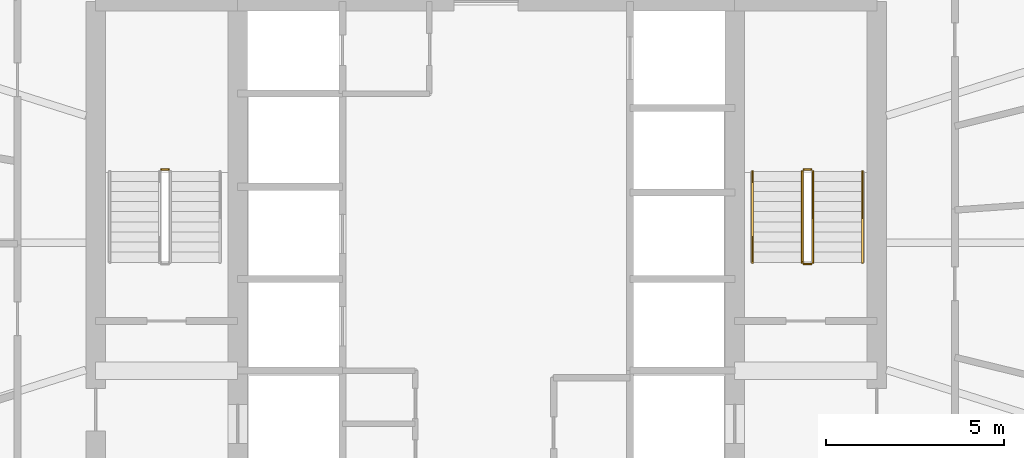
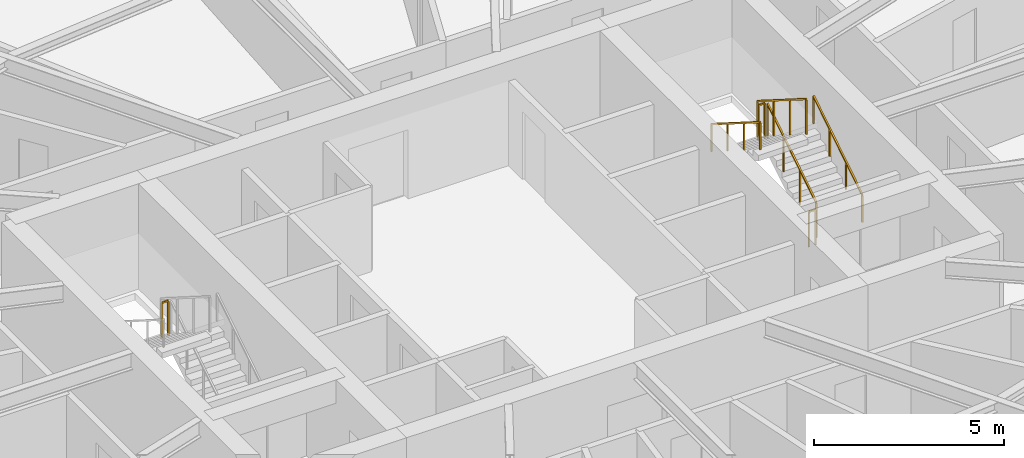
# One storey, part 25 of 25: 7 railings.
"""IFC4 building model written with IfcOpenShell, lengths in metres."""

from ifc_helpers import new_model, si_unit, direction, frame, origin, origin_2d, place, context, subcontext, project, spatial, rectangle, extrude, material, type_object, element, save


model = new_model("IFC4")

# Units and contexts
model_context = context("Model", 3, precision=1e-05, world=origin(), true_north=direction((0.0, 1.0)))
body_context = subcontext(model_context, "Body", "Model", "MODEL_VIEW")
ifc_project = project(units=[si_unit("LENGTHUNIT", "METRE"), si_unit("AREAUNIT", "SQUARE_METRE"), si_unit("VOLUMEUNIT", "CUBIC_METRE"), si_unit("PLANEANGLEUNIT", "RADIAN"), si_unit("MASSUNIT", "GRAM", prefix="KILO")], contexts=[model_context])

# Site, building, storey
site_placement = place(None, origin())
site = spatial("IfcSite", under=ifc_project, at=site_placement, CompositionType="ELEMENT")
building_placement = place(site_placement, origin())
building = spatial("IfcBuilding", under=site, at=building_placement, Name="Sarneth Arch Tower", CompositionType="ELEMENT")
storey_placement = place(building_placement, frame((0.0, 0.0, 84.0)))
storey = spatial("IfcBuildingStorey", under=building, at=storey_placement, Name="L20", CompositionType="ELEMENT", Elevation=84.0)

# Railings
ifc_material_1 = material(Name="Brushed Stainless Steel 304 tubular handrail", Category="steel")
railing_type_1 = type_object("IfcRailingType", Name="RAIL-HANDRAIL-900", PredefinedType="HANDRAIL", material=ifc_material_1)
railing_1_placement = place(storey_placement, frame((58.60009765625, 41.449951171875, 0.179931640625)))
element("IfcRailing", 1, at=railing_1_placement, inside=storey, type_object=railing_type_1, Name="L20 ST-2 stair handrail 1", PredefinedType="HANDRAIL", context=body_context, shape_type="SweptSolid", body=[
    extrude(rectangle(XDim=0.048095703125, YDim=0.048095703125, at=origin_2d()), frame((0.0, 0.0, 0.8759765625), z_axis=(0.0, 0.845465955043, 0.534029323973), x_axis=(-1.0, 0.0, 0.0)), (0.0, 0.0, 1.0), 3.03369140625),
    extrude(rectangle(XDim=0.0419921875, YDim=0.0419921875, at=origin_2d()), origin(), (0.0, 0.0, 1.0), 0.851806640625),
    extrude(rectangle(XDim=0.0419921875, YDim=0.0419921875, at=origin_2d()), frame((0.0, 0.85498046875, 0.5400390625)), (0.0, 0.0, 1.0), 0.851806640625),
    extrude(rectangle(XDim=0.0419921875, YDim=0.0419921875, at=origin_2d()), frame((0.0, 1.7099609375, 1.080078125)), (0.0, 0.0, 1.0), 0.851806640625),
    extrude(rectangle(XDim=0.0419921875, YDim=0.0419921875, at=origin_2d()), frame((0.0, 2.56494140625, 1.6201171875)), (0.0, 0.0, 1.0), 0.851806640625),
])
railing_2_placement = place(storey_placement, frame((55.5, 44.014892578125, 1.97998046875)))
element("IfcRailing", 2, at=railing_2_placement, inside=storey, type_object=railing_type_1, Name="L20 ST-2 stair handrail 2", PredefinedType="HANDRAIL", context=body_context, shape_type="SweptSolid", body=[
    extrude(rectangle(XDim=0.048095703125, YDim=0.048095703125, at=origin_2d()), frame((0.0, 0.0, 0.8759765625), z_axis=(0.0, -0.845465955043, 0.534029323973), x_axis=(1.0, 0.0, 0.0)), (0.0, 0.0, 1.0), 3.03369140625),
    extrude(rectangle(XDim=0.0419921875, YDim=0.0419921875, at=origin_2d()), origin(), (0.0, 0.0, 1.0), 0.851806640625),
    extrude(rectangle(XDim=0.0419921875, YDim=0.0419921875, at=origin_2d()), frame((0.0, -0.85498046875, 0.5400390625)), (0.0, 0.0, 1.0), 0.851806640625),
    extrude(rectangle(XDim=0.0419921875, YDim=0.0419921875, at=origin_2d()), frame((0.0, -1.7099609375, 1.080078125)), (0.0, 0.0, 1.0), 0.851806640625),
    extrude(rectangle(XDim=0.0419921875, YDim=0.0419921875, at=origin_2d()), frame((0.0, -2.56494140625, 1.6201171875)), (0.0, 0.0, 1.0), 0.851806640625),
])
ifc_material_2 = material(Name="Painted Steel S275 stair well guard", Category="steel")
railing_type_2 = type_object("IfcRailingType", Name="RAIL-STAIR-GUARD", PredefinedType="GUARDRAIL", material=ifc_material_2)
railing_3_placement = place(storey_placement, frame((39.050048828125, 44.06494140625, 1.800048828125)))
element("IfcRailing", 3, at=railing_3_placement, inside=storey, type_object=railing_type_2, Name="L20 ST-1 stair guard 2", PredefinedType="GUARDRAIL", context=body_context, shape_type="SweptSolid", body=[
    extrude(rectangle(XDim=0.048095703125, YDim=0.048095703125, at=origin_2d()), frame((0.0, 0.0, 1.1259765625), z_axis=(-1.0, 0.0, 0.0), x_axis=(0.0, -1.0, 0.0)), (0.0, 0.0, 1.0), 0.199951171875),
    extrude(rectangle(XDim=0.0419921875, YDim=0.0419921875, at=origin_2d()), origin(), (0.0, 0.0, 1.0), 1.101806640625),
    extrude(rectangle(XDim=0.0419921875, YDim=0.0419921875, at=origin_2d()), frame((-0.199951171875, 0.0, 0.0)), (0.0, 0.0, 1.0), 1.101806640625),
])
railing_4_placement = place(storey_placement, frame((57.199951171875, 41.449951171875, 0.179931640625)))
element("IfcRailing", 4, at=railing_4_placement, inside=storey, type_object=railing_type_2, Name="L20 ST-2 stair guard 1", PredefinedType="GUARDRAIL", context=body_context, shape_type="SweptSolid", body=[
    extrude(rectangle(XDim=0.048095703125, YDim=0.048095703125, at=origin_2d()), frame((0.0, 0.0, 1.1259765625), z_axis=(0.0, 0.845465955043, 0.534029323973), x_axis=(-1.0, 0.0, 0.0)), (0.0, 0.0, 1.0), 3.03369140625),
    extrude(rectangle(XDim=0.0419921875, YDim=0.0419921875, at=origin_2d()), origin(), (0.0, 0.0, 1.0), 1.101806640625),
    extrude(rectangle(XDim=0.0419921875, YDim=0.0419921875, at=origin_2d()), frame((0.0, 0.85498046875, 0.5400390625)), (0.0, 0.0, 1.0), 1.101806640625),
    extrude(rectangle(XDim=0.0419921875, YDim=0.0419921875, at=origin_2d()), frame((0.0, 1.7099609375, 1.080078125)), (0.0, 0.0, 1.0), 1.101806640625),
    extrude(rectangle(XDim=0.0419921875, YDim=0.0419921875, at=origin_2d()), frame((0.0, 2.56494140625, 1.6201171875)), (0.0, 0.0, 1.0), 1.101806640625),
])
railing_5_placement = place(storey_placement, frame((57.14990234375, 44.06494140625, 1.800048828125)))
element("IfcRailing", 5, at=railing_5_placement, inside=storey, type_object=railing_type_2, Name="L20 ST-2 stair guard 2", PredefinedType="GUARDRAIL", context=body_context, shape_type="SweptSolid", body=[
    extrude(rectangle(XDim=0.048095703125, YDim=0.048095703125, at=origin_2d()), frame((0.0, 0.0, 1.1259765625), z_axis=(-1.0, 0.0, 0.0), x_axis=(0.0, -1.0, 0.0)), (0.0, 0.0, 1.0), 0.199951171875),
    extrude(rectangle(XDim=0.0419921875, YDim=0.0419921875, at=origin_2d()), origin(), (0.0, 0.0, 1.0), 1.101806640625),
    extrude(rectangle(XDim=0.0419921875, YDim=0.0419921875, at=origin_2d()), frame((-0.199951171875, 0.0, 0.0)), (0.0, 0.0, 1.0), 1.101806640625),
])
railing_6_placement = place(storey_placement, frame((56.89990234375, 44.014892578125, 1.97998046875)))
element("IfcRailing", 6, at=railing_6_placement, inside=storey, type_object=railing_type_2, Name="L20 ST-2 stair guard 3", PredefinedType="GUARDRAIL", context=body_context, shape_type="SweptSolid", body=[
    extrude(rectangle(XDim=0.048095703125, YDim=0.048095703125, at=origin_2d()), frame((0.0, 0.0, 1.1259765625), z_axis=(0.0, -0.845465955043, 0.534029323973), x_axis=(1.0, 0.0, 0.0)), (0.0, 0.0, 1.0), 3.03369140625),
    extrude(rectangle(XDim=0.0419921875, YDim=0.0419921875, at=origin_2d()), origin(), (0.0, 0.0, 1.0), 1.101806640625),
    extrude(rectangle(XDim=0.0419921875, YDim=0.0419921875, at=origin_2d()), frame((0.0, -0.85498046875, 0.5400390625)), (0.0, 0.0, 1.0), 1.101806640625),
    extrude(rectangle(XDim=0.0419921875, YDim=0.0419921875, at=origin_2d()), frame((0.0, -1.7099609375, 1.080078125)), (0.0, 0.0, 1.0), 1.101806640625),
    extrude(rectangle(XDim=0.0419921875, YDim=0.0419921875, at=origin_2d()), frame((0.0, -2.56494140625, 1.6201171875)), (0.0, 0.0, 1.0), 1.101806640625),
])
railing_7_placement = place(storey_placement, frame((57.14990234375, 41.39990234375, 0.0)))
element("IfcRailing", 7, at=railing_7_placement, inside=storey, type_object=railing_type_2, Name="L20 ST-2 stair guard 4", PredefinedType="GUARDRAIL", context=body_context, shape_type="SweptSolid", body=[
    extrude(rectangle(XDim=0.048095703125, YDim=0.048095703125, at=origin_2d()), frame((0.0, 0.0, 1.1259765625), z_axis=(-1.0, 0.0, 0.0), x_axis=(0.0, -1.0, 0.0)), (0.0, 0.0, 1.0), 0.199951171875),
    extrude(rectangle(XDim=0.0419921875, YDim=0.0419921875, at=origin_2d()), origin(), (0.0, 0.0, 1.0), 1.101806640625),
    extrude(rectangle(XDim=0.0419921875, YDim=0.0419921875, at=origin_2d()), frame((-0.199951171875, 0.0, 0.0)), (0.0, 0.0, 1.0), 1.101806640625),
])

save(model, "model.ifc")
